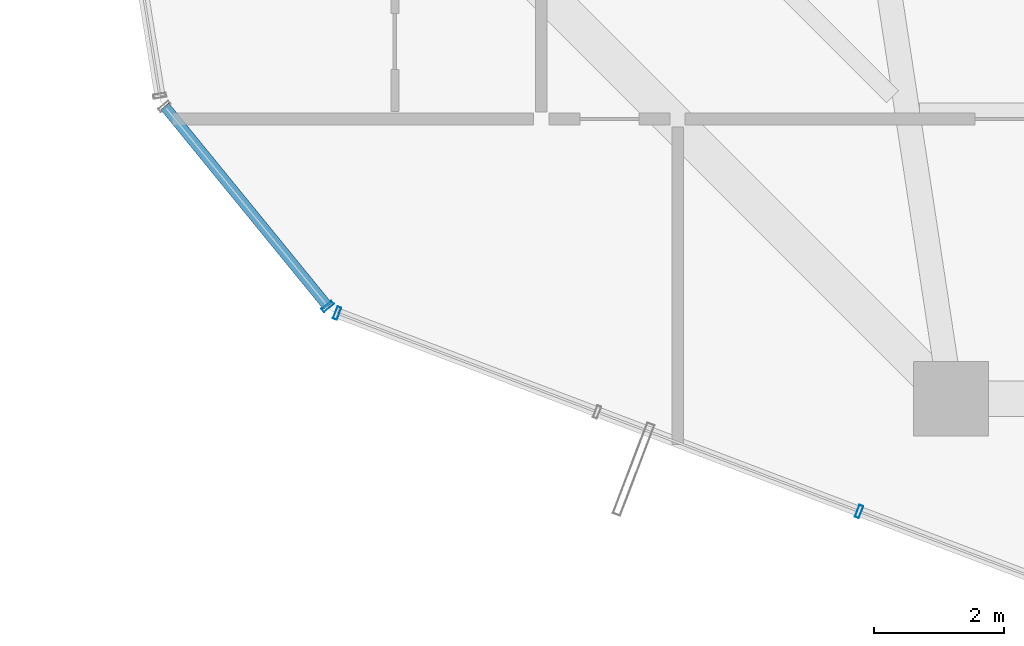
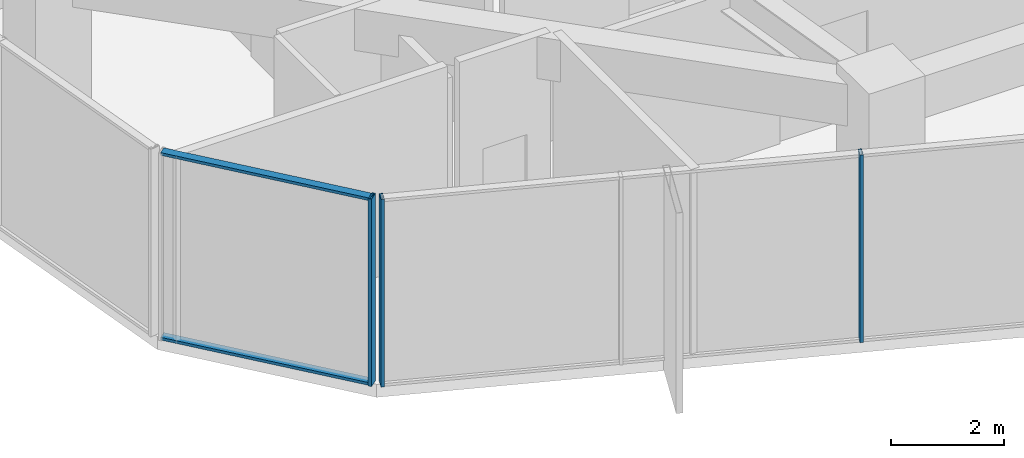
# One storey, part 2 of 26: 5 members, 2 elements without a shape of their own.
"""IFC4 building model written with IfcOpenShell, lengths in metres."""

from ifc_helpers import new_model, si_unit, direction, frame, origin, origin_2d, place, context, subcontext, project, spatial, hollow_rectangle, extrude, source, transform, mapped, material, layer, layer_set, material_profile, profile_set, type_object, element, aggregate, save


model = new_model("IFC4")

# Units and contexts
model_context = context("Model", 3, precision=1e-05, world=origin(), true_north=direction((0.0, 1.0)))
body_context = subcontext(model_context, "Body", "Model", "MODEL_VIEW")
ifc_project = project(units=[si_unit("LENGTHUNIT", "METRE"), si_unit("AREAUNIT", "SQUARE_METRE"), si_unit("VOLUMEUNIT", "CUBIC_METRE"), si_unit("PLANEANGLEUNIT", "RADIAN"), si_unit("MASSUNIT", "GRAM", prefix="KILO")], contexts=[model_context])

# Site, building, storey
site_placement = place(None, origin())
site = spatial("IfcSite", under=ifc_project, at=site_placement, CompositionType="ELEMENT")
building_placement = place(site_placement, origin())
building = spatial("IfcBuilding", under=site, at=building_placement, Name="Veraguas Prism Commons", CompositionType="ELEMENT")
storey_placement = place(building_placement, frame((0.0, 0.0, 158.75)))
storey = spatial("IfcBuildingStorey", under=building, at=storey_placement, Name="L45", CompositionType="ELEMENT", Elevation=158.75)

# Curtain wall, members
ifc_material = material(Name="Anodised aluminium EN AW-6063 T6", Category="aluminium")
ifc_layer = layer(ifc_material, 0.199951171875, Name="Sky Lobby and Pool Acoustic Curtain Wall", Category="aluminium")
ifc_layer_set = layer_set([ifc_layer], Name="Anodised aluminium EN AW-6063 T6")
curtain_wall_type = type_object("IfcCurtainWallType", Name="Sky Lobby and Pool Acoustic Curtain Wall", PredefinedType="NOTDEFINED", material=ifc_layer_set)
curtain_wall_1_placement = place(storey_placement, origin())
curtain_wall_1 = element("IfcCurtainWall", 1, at=curtain_wall_1_placement, inside=storey, type_object=curtain_wall_type, Name="Tower Facade Curtain Wall L45-F4", PredefinedType="NOTDEFINED")
ifc_material_profile_1 = material_profile(ifc_material, hollow_rectangle(XDim=0.06494140625, YDim=0.199951171875, WallThickness=0.00390625, at=origin_2d()), Name="AL65X200X4")
ifc_profile_set_1 = profile_set([ifc_material_profile_1], Name="Anodised aluminium EN AW-6063 T6")
member_type_1 = type_object("IfcMemberType", Name="Curtain Wall Mullion Heavy AL 65x200x4", PredefinedType="MULLION", material=ifc_profile_set_1)
shared_shape_1 = source(origin(), body_context, "Body", "SweptSolid", [
    extrude(hollow_rectangle(XDim=0.06494140625, YDim=0.199951171875, WallThickness=0.00390625, at=origin_2d()), origin(), (0.0, 0.0, 1.0), 4.050048828125),
])
member_1_placement = place(storey_placement, frame((9.1630859375, 9.1162109375, 0.0), z_axis=(0.0, 0.0, 1.0), x_axis=(0.934824436833, -0.355110225563, 0.0)))
member_1 = element("IfcMember", 2, at=member_1_placement, type_object=member_type_1, Name="CW-SKY Mullion 1", PredefinedType="MULLION", context=body_context, shape_type="MappedRepresentation", body=[
    mapped(shared_shape_1, transform((0.0, 0.0, 0.0), scale=1.0)),
])
member_2_placement = place(storey_placement, frame((17.188232421875, 6.06787109375, 0.0), z_axis=(0.0, 0.0, 1.0), x_axis=(0.934824436833, -0.355110225563, 0.0)))
member_2 = element("IfcMember", 3, at=member_2_placement, type_object=member_type_1, Name="CW-SKY Mullion 3", PredefinedType="MULLION", context=body_context, shape_type="MappedRepresentation", body=[
    mapped(shared_shape_1, transform((0.0, 0.0, 0.0), scale=1.0)),
])
aggregate(curtain_wall_1, [member_1, member_2])

curtain_wall_2_placement = place(storey_placement, origin())
curtain_wall_2 = element("IfcCurtainWall", 4, at=curtain_wall_2_placement, inside=storey, type_object=curtain_wall_type, Name="Chamfer Curtain Wall L45-C4", PredefinedType="NOTDEFINED")
member_3_placement = place(storey_placement, frame((9.01806640625, 9.220703125, 0.0), z_axis=(0.0, 0.0, 1.0), x_axis=(0.632041475386, -0.774934560716, 0.0)))
member_3 = element("IfcMember", 5, at=member_3_placement, type_object=member_type_1, Name="CW-SKY Mullion 2", PredefinedType="MULLION", context=body_context, shape_type="MappedRepresentation", body=[
    mapped(shared_shape_1, transform((0.0, 0.0, 0.0), scale=1.0)),
])
ifc_material_profile_2 = material_profile(ifc_material, hollow_rectangle(XDim=0.06005859375, YDim=0.159912109375, WallThickness=0.0029296875, at=origin_2d()), Name="AL60X160X3")
ifc_profile_set_2 = profile_set([ifc_material_profile_2], Name="Anodised aluminium EN AW-6063 T6")
member_type_2 = type_object("IfcMemberType", Name="Curtain Wall Transom Heavy AL 60x160x3", PredefinedType="USERDEFINED", material=ifc_profile_set_2)
shared_shape_2 = source(origin(), body_context, "Body", "SweptSolid", [
    extrude(hollow_rectangle(XDim=0.06005859375, YDim=0.159912109375, WallThickness=0.0029296875, at=origin_2d()), origin(), (0.0, 0.0, 1.0), 3.96826171875),
])
member_4_placement = place(storey_placement, frame((6.510009765625, 12.2958984375, 0.030029296875), z_axis=(0.63202756894, -0.774945902693, 0.0), x_axis=(0.0, 0.0, 1.0)))
member_4 = element("IfcMember", 6, at=member_4_placement, type_object=member_type_2, Name="CW-SKY Transom 1", ObjectType="TRANSOM", PredefinedType="USERDEFINED", context=body_context, shape_type="MappedRepresentation", body=[
    mapped(shared_shape_2, transform((0.0, 0.0, 0.0), scale=1.0)),
])
member_5_placement = place(storey_placement, frame((6.510009765625, 12.2958984375, 4.02001953125), z_axis=(0.63202756894, -0.774945902693, 0.0), x_axis=(0.0, 0.0, 1.0)))
member_5 = element("IfcMember", 7, at=member_5_placement, type_object=member_type_2, Name="CW-SKY Transom 2", ObjectType="TRANSOM", PredefinedType="USERDEFINED", context=body_context, shape_type="MappedRepresentation", body=[
    mapped(shared_shape_2, transform((0.0, 0.0, 0.0), scale=1.0)),
])
aggregate(curtain_wall_2, [member_3, member_4, member_5])

save(model, "model.ifc")
